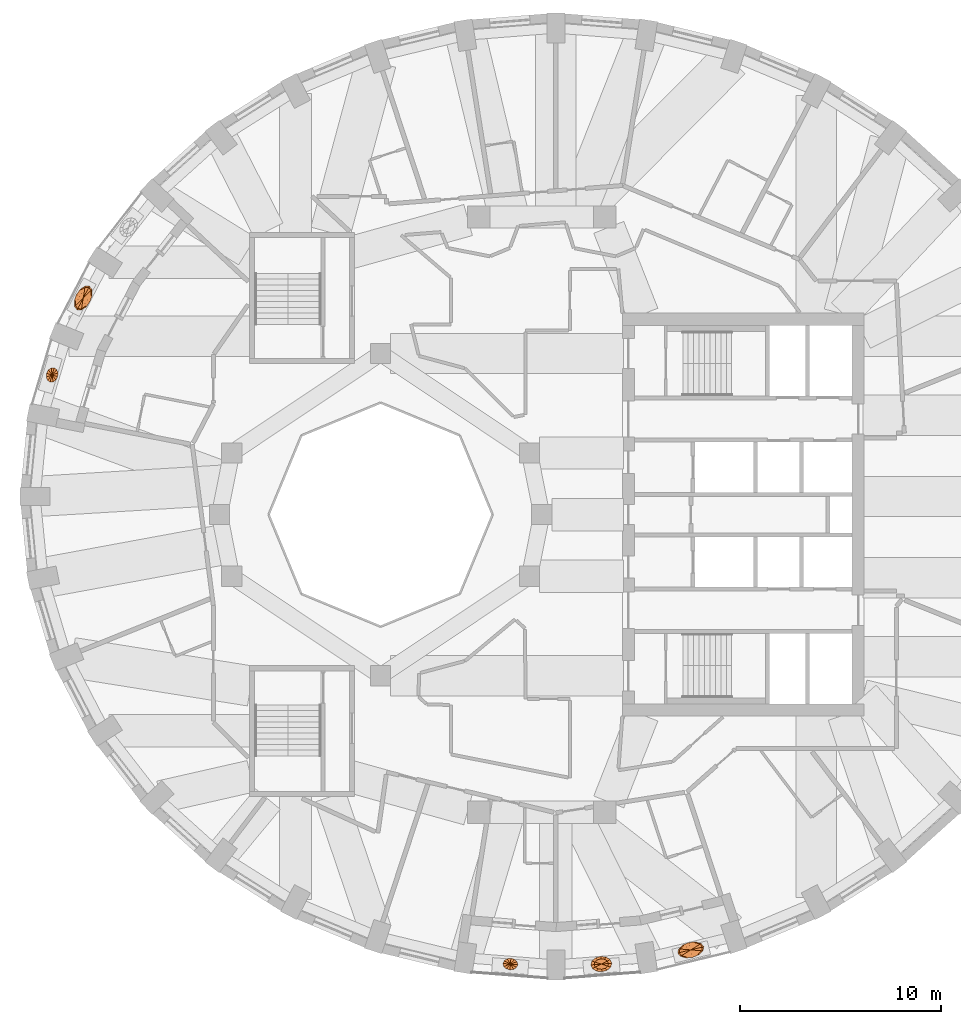
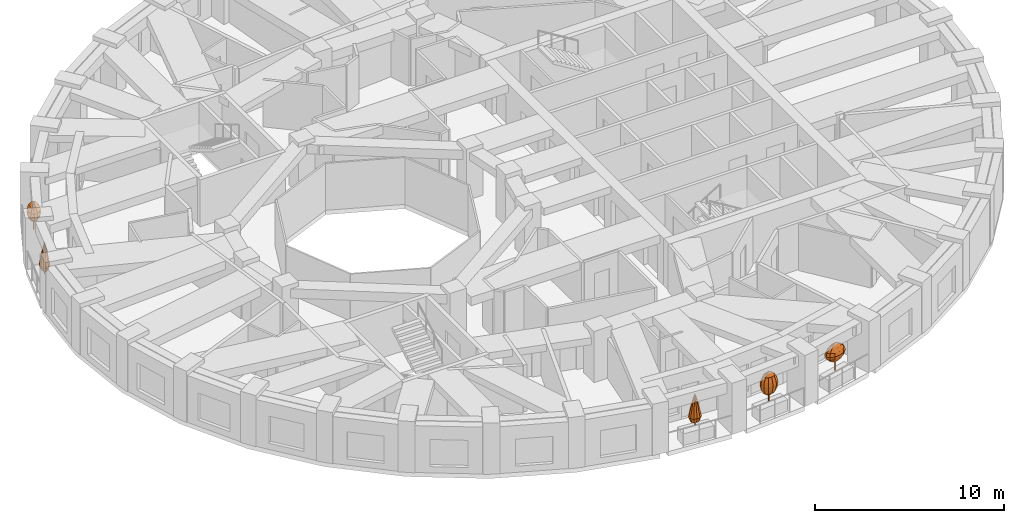
# One storey, part 11 of 12: 5 geographic elements.
"""IFC4 building model written with IfcOpenShell, lengths in metres."""

from ifc_helpers import new_model, si_unit, direction, frame, origin, place, context, subcontext, project, spatial, faceted_brep, material, constituent, constituent_set, type_object, element, save


model = new_model("IFC4")

# Units and contexts
model_context = context("Model", 3, precision=1e-05, world=origin(), true_north=direction((0.0, 1.0)))
body_context = subcontext(model_context, "Body", "Model", "MODEL_VIEW")
ifc_project = project(units=[si_unit("LENGTHUNIT", "METRE"), si_unit("AREAUNIT", "SQUARE_METRE"), si_unit("VOLUMEUNIT", "CUBIC_METRE"), si_unit("PLANEANGLEUNIT", "RADIAN"), si_unit("MASSUNIT", "GRAM", prefix="KILO")], contexts=[model_context])

# Site, building, storey
site_placement = place(None, origin())
site = spatial("IfcSite", under=ifc_project, at=site_placement, CompositionType="ELEMENT")
building_placement = place(site_placement, origin())
building = spatial("IfcBuilding", under=site, at=building_placement, Name="Taillehof Tower", CompositionType="ELEMENT")
storey_placement = place(building_placement, frame((0.0, 0.0, 199.10009765625)))
storey = spatial("IfcBuildingStorey", under=building, at=storey_placement, Name="L56", CompositionType="ELEMENT", Elevation=199.10009765625)

# Geographic elements
ifc_material_1 = material(Name="Tree bark", Category="timber")
ifc_constituent_1 = constituent(ifc_material_1, Name="Trunk", Category="timber")
ifc_material_2 = material(Name="Tree foliage")
ifc_constituent_2 = constituent(ifc_material_2, Name="Crown")
ifc_constituent_set_1 = constituent_set(constituents=[ifc_constituent_1, ifc_constituent_2], Name="Tree TR2 Fastigiate yew")
geographic_element_type_1 = type_object("IfcGeographicElementType", Name="Tree TR2 Fastigiate yew", PredefinedType="USERDEFINED", material=ifc_constituent_set_1)
geographic_element_1_placement = place(storey_placement, frame((2.955322265625, -22.310546875, 0.75)))
element("IfcGeographicElement", 1, at=geographic_element_1_placement, inside=storey, type_object=geographic_element_type_1, Name="Tree TR2 Fastigiate yew", ObjectType="TREE", PredefinedType="USERDEFINED", context=body_context, shape_type="Brep", body=[
    faceted_brep([(0.034912109375, 0.0, 0.0), (0.024658203125, 0.024658203125, 0.0), (0.024658203125, 0.024658203125, 0.909912109375), (0.034912109375, 0.0, 0.909912109375), (0.0, 0.034912109375, 0.0), (0.0, 0.034912109375, 0.909912109375), (-0.024658203125, 0.024658203125, 0.0), (-0.024658203125, 0.024658203125, 0.909912109375), (-0.034912109375, 0.0, 0.0), (-0.034912109375, 0.0, 0.909912109375), (-0.024658203125, -0.024658203125, 0.0), (-0.024658203125, -0.024658203125, 0.909912109375), (0.0, -0.034912109375, 0.0), (0.0, -0.034912109375, 0.909912109375), (0.024658203125, -0.024658203125, 0.0), (0.024658203125, -0.024658203125, 0.909912109375)], [[[0, 1, 2, 3]], [[1, 4, 5, 2]], [[4, 6, 7, 5]], [[6, 8, 9, 7]], [[8, 10, 11, 9]], [[10, 12, 13, 11]], [[12, 14, 15, 13]], [[14, 0, 3, 15]], [[14, 12, 10, 8, 6, 4, 1, 0]], [[3, 2, 5, 7, 9, 11, 13, 15]]]),
    faceted_brep([(0.0, 0.0, 0.35009765625), (0.2978515625, 0.153564453125, 0.61669921875), (0.355712890625, 0.028076171875, 0.61669921875), (0.16015625, 0.238037109375, 0.61669921875), (-0.020263671875, 0.2587890625, 0.61669921875), (-0.195556640625, 0.2099609375, 0.61669921875), (-0.318359375, 0.105224609375, 0.61669921875), (-0.355712890625, -0.028076171875, 0.61669921875), (-0.2978515625, -0.153564453125, 0.61669921875), (-0.16015625, -0.238037109375, 0.61669921875), (0.020263671875, -0.2587890625, 0.61669921875), (0.195556640625, -0.2099609375, 0.61669921875), (0.318359375, -0.105224609375, 0.61669921875), (0.403076171875, 0.207763671875, 0.88330078125), (0.481201171875, 0.037841796875, 0.88330078125), (0.216796875, 0.322021484375, 0.88330078125), (-0.027587890625, 0.35009765625, 0.88330078125), (-0.264404296875, 0.2841796875, 0.88330078125), (-0.4306640625, 0.14208984375, 0.88330078125), (-0.481201171875, -0.037841796875, 0.88330078125), (-0.403076171875, -0.207763671875, 0.88330078125), (-0.216796875, -0.322021484375, 0.88330078125), (0.027587890625, -0.35009765625, 0.88330078125), (0.264404296875, -0.2841796875, 0.88330078125), (0.4306640625, -0.14208984375, 0.88330078125), (0.436279296875, 0.224853515625, 1.14990234375), (0.52099609375, 0.041015625, 1.14990234375), (0.234619140625, 0.3486328125, 1.14990234375), (-0.02978515625, 0.37890625, 1.14990234375), (-0.286376953125, 0.3076171875, 1.14990234375), (-0.466064453125, 0.15380859375, 1.14990234375), (-0.52099609375, -0.041015625, 1.14990234375), (-0.436279296875, -0.224853515625, 1.14990234375), (-0.234619140625, -0.3486328125, 1.14990234375), (0.02978515625, -0.37890625, 1.14990234375), (0.286376953125, -0.3076171875, 1.14990234375), (0.466064453125, -0.15380859375, 1.14990234375), (0.403076171875, 0.207763671875, 1.416748046875), (0.481201171875, 0.037841796875, 1.416748046875), (0.216796875, 0.322021484375, 1.416748046875), (-0.027587890625, 0.35009765625, 1.416748046875), (-0.264404296875, 0.2841796875, 1.416748046875), (-0.4306640625, 0.14208984375, 1.416748046875), (-0.481201171875, -0.037841796875, 1.416748046875), (-0.403076171875, -0.207763671875, 1.416748046875), (-0.216796875, -0.322021484375, 1.416748046875), (0.027587890625, -0.35009765625, 1.416748046875), (0.264404296875, -0.2841796875, 1.416748046875), (0.4306640625, -0.14208984375, 1.416748046875), (0.2978515625, 0.153564453125, 1.683349609375), (0.355712890625, 0.028076171875, 1.683349609375), (0.16015625, 0.238037109375, 1.683349609375), (-0.020263671875, 0.2587890625, 1.683349609375), (-0.195556640625, 0.2099609375, 1.683349609375), (-0.318359375, 0.105224609375, 1.683349609375), (-0.355712890625, -0.028076171875, 1.683349609375), (-0.2978515625, -0.153564453125, 1.683349609375), (-0.16015625, -0.238037109375, 1.683349609375), (0.020263671875, -0.2587890625, 1.683349609375), (0.195556640625, -0.2099609375, 1.683349609375), (0.318359375, -0.105224609375, 1.683349609375), (0.0, 0.0, 1.949951171875)], [[[0, 1, 2]], [[0, 3, 1]], [[0, 4, 3]], [[0, 5, 4]], [[0, 6, 5]], [[0, 7, 6]], [[0, 8, 7]], [[0, 9, 8]], [[0, 10, 9]], [[0, 11, 10]], [[0, 12, 11]], [[0, 2, 12]], [[2, 1, 13, 14]], [[1, 3, 15, 13]], [[3, 4, 16, 15]], [[4, 5, 17, 16]], [[5, 6, 18, 17]], [[6, 7, 19, 18]], [[7, 8, 20, 19]], [[8, 9, 21, 20]], [[9, 10, 22, 21]], [[10, 11, 23, 22]], [[11, 12, 24, 23]], [[12, 2, 14, 24]], [[14, 13, 25, 26]], [[13, 15, 27, 25]], [[15, 16, 28, 27]], [[16, 17, 29, 28]], [[17, 18, 30, 29]], [[18, 19, 31, 30]], [[19, 20, 32, 31]], [[20, 21, 33, 32]], [[21, 22, 34, 33]], [[22, 23, 35, 34]], [[23, 24, 36, 35]], [[24, 14, 26, 36]], [[26, 25, 37, 38]], [[25, 27, 39, 37]], [[27, 28, 40, 39]], [[28, 29, 41, 40]], [[29, 30, 42, 41]], [[30, 31, 43, 42]], [[31, 32, 44, 43]], [[32, 33, 45, 44]], [[33, 34, 46, 45]], [[34, 35, 47, 46]], [[35, 36, 48, 47]], [[36, 26, 38, 48]], [[38, 37, 49, 50]], [[37, 39, 51, 49]], [[39, 40, 52, 51]], [[40, 41, 53, 52]], [[41, 42, 54, 53]], [[42, 43, 55, 54]], [[43, 44, 56, 55]], [[44, 45, 57, 56]], [[45, 46, 58, 57]], [[46, 47, 59, 58]], [[47, 48, 60, 59]], [[48, 38, 50, 60]], [[50, 49, 61]], [[49, 51, 61]], [[51, 52, 61]], [[52, 53, 61]], [[53, 54, 61]], [[54, 55, 61]], [[55, 56, 61]], [[56, 57, 61]], [[57, 58, 61]], [[58, 59, 61]], [[59, 60, 61]], [[60, 50, 61]]]),
])
ifc_material_3 = material(Name="Tree bark", Category="timber")
ifc_constituent_3 = constituent(ifc_material_3, Name="Trunk", Category="timber")
ifc_material_4 = material(Name="Tree foliage")
ifc_constituent_4 = constituent(ifc_material_4, Name="Crown")
ifc_constituent_set_2 = constituent_set(constituents=[ifc_constituent_3, ifc_constituent_4], Name="Tree TR4 Sea buckthorn standard")
geographic_element_type_2 = type_object("IfcGeographicElementType", Name="Tree TR4 Sea buckthorn standard", PredefinedType="USERDEFINED", material=ifc_constituent_set_2)
geographic_element_2_placement = place(storey_placement, frame((-22.760986328125, 10.750244140625, 0.75)))
element("IfcGeographicElement", 2, at=geographic_element_2_placement, inside=storey, type_object=geographic_element_type_2, Name="Tree TR4 Sea buckthorn standard", ObjectType="TREE", PredefinedType="USERDEFINED", context=body_context, shape_type="Brep", body=[
    faceted_brep([(0.030029296875, 0.0, 0.0), (0.021240234375, 0.021240234375, 0.0), (0.021240234375, 0.021240234375, 0.98095703125), (0.030029296875, 0.0, 0.98095703125), (0.0, 0.030029296875, 0.0), (0.0, 0.030029296875, 0.98095703125), (-0.021240234375, 0.021240234375, 0.0), (-0.021240234375, 0.021240234375, 0.98095703125), (-0.030029296875, 0.0, 0.0), (-0.030029296875, 0.0, 0.98095703125), (-0.021240234375, -0.021240234375, 0.0), (-0.021240234375, -0.021240234375, 0.98095703125), (0.0, -0.030029296875, 0.0), (0.0, -0.030029296875, 0.98095703125), (0.021240234375, -0.021240234375, 0.0), (0.021240234375, -0.021240234375, 0.98095703125)], [[[0, 1, 2, 3]], [[1, 4, 5, 2]], [[4, 6, 7, 5]], [[6, 8, 9, 7]], [[8, 10, 11, 9]], [[10, 12, 13, 11]], [[12, 14, 15, 13]], [[14, 0, 3, 15]], [[14, 12, 10, 8, 6, 4, 1, 0]], [[3, 2, 5, 7, 9, 11, 13, 15]]]),
    faceted_brep([(0.0, 0.0, 0.5400390625), (-0.055419921875, -0.343994140625, 0.75), (-0.17578125, -0.339111328125, 0.75), (0.079833984375, -0.256591796875, 0.75), (0.19384765625, -0.100341796875, 0.75), (0.255615234375, 0.08251953125, 0.75), (0.2490234375, 0.243408203125, 0.75), (0.17578125, 0.339111328125, 0.75), (0.055419921875, 0.343994140625, 0.75), (-0.079833984375, 0.256591796875, 0.75), (-0.19384765625, 0.100341796875, 0.75), (-0.255615234375, -0.08251953125, 0.75), (-0.2490234375, -0.243408203125, 0.75), (-0.0859375, -0.53369140625, 0.9599609375), (-0.272705078125, -0.526123046875, 0.9599609375), (0.1240234375, -0.398193359375, 0.9599609375), (0.30078125, -0.15576171875, 0.9599609375), (0.396728515625, 0.128173828125, 0.9599609375), (0.386474609375, 0.377685546875, 0.9599609375), (0.272705078125, 0.526123046875, 0.9599609375), (0.0859375, 0.53369140625, 0.9599609375), (-0.1240234375, 0.398193359375, 0.9599609375), (-0.30078125, 0.15576171875, 0.9599609375), (-0.396728515625, -0.128173828125, 0.9599609375), (-0.386474609375, -0.377685546875, 0.9599609375), (-0.096435546875, -0.5986328125, 1.169921875), (-0.30615234375, -0.59033203125, 1.169921875), (0.13916015625, -0.446533203125, 1.169921875), (0.33740234375, -0.1748046875, 1.169921875), (0.445068359375, 0.143798828125, 1.169921875), (0.433837890625, 0.423828125, 1.169921875), (0.30615234375, 0.59033203125, 1.169921875), (0.096435546875, 0.5986328125, 1.169921875), (-0.13916015625, 0.446533203125, 1.169921875), (-0.33740234375, 0.1748046875, 1.169921875), (-0.445068359375, -0.143798828125, 1.169921875), (-0.433837890625, -0.423828125, 1.169921875), (-0.0859375, -0.53369140625, 1.3798828125), (-0.272705078125, -0.526123046875, 1.3798828125), (0.1240234375, -0.398193359375, 1.3798828125), (0.30078125, -0.15576171875, 1.3798828125), (0.396728515625, 0.128173828125, 1.3798828125), (0.386474609375, 0.377685546875, 1.3798828125), (0.272705078125, 0.526123046875, 1.3798828125), (0.0859375, 0.53369140625, 1.3798828125), (-0.1240234375, 0.398193359375, 1.3798828125), (-0.30078125, 0.15576171875, 1.3798828125), (-0.396728515625, -0.128173828125, 1.3798828125), (-0.386474609375, -0.377685546875, 1.3798828125), (-0.055419921875, -0.343994140625, 1.590087890625), (-0.17578125, -0.339111328125, 1.590087890625), (0.079833984375, -0.256591796875, 1.590087890625), (0.19384765625, -0.100341796875, 1.590087890625), (0.255615234375, 0.08251953125, 1.590087890625), (0.2490234375, 0.243408203125, 1.590087890625), (0.17578125, 0.339111328125, 1.590087890625), (0.055419921875, 0.343994140625, 1.590087890625), (-0.079833984375, 0.256591796875, 1.590087890625), (-0.19384765625, 0.100341796875, 1.590087890625), (-0.255615234375, -0.08251953125, 1.590087890625), (-0.2490234375, -0.243408203125, 1.590087890625), (0.0, 0.0, 1.800048828125)], [[[0, 1, 2]], [[0, 3, 1]], [[0, 4, 3]], [[0, 5, 4]], [[0, 6, 5]], [[0, 7, 6]], [[0, 8, 7]], [[0, 9, 8]], [[0, 10, 9]], [[0, 11, 10]], [[0, 12, 11]], [[0, 2, 12]], [[2, 1, 13, 14]], [[1, 3, 15, 13]], [[3, 4, 16, 15]], [[4, 5, 17, 16]], [[5, 6, 18, 17]], [[6, 7, 19, 18]], [[7, 8, 20, 19]], [[8, 9, 21, 20]], [[9, 10, 22, 21]], [[10, 11, 23, 22]], [[11, 12, 24, 23]], [[12, 2, 14, 24]], [[14, 13, 25, 26]], [[13, 15, 27, 25]], [[15, 16, 28, 27]], [[16, 17, 29, 28]], [[17, 18, 30, 29]], [[18, 19, 31, 30]], [[19, 20, 32, 31]], [[20, 21, 33, 32]], [[21, 22, 34, 33]], [[22, 23, 35, 34]], [[23, 24, 36, 35]], [[24, 14, 26, 36]], [[26, 25, 37, 38]], [[25, 27, 39, 37]], [[27, 28, 40, 39]], [[28, 29, 41, 40]], [[29, 30, 42, 41]], [[30, 31, 43, 42]], [[31, 32, 44, 43]], [[32, 33, 45, 44]], [[33, 34, 46, 45]], [[34, 35, 47, 46]], [[35, 36, 48, 47]], [[36, 26, 38, 48]], [[38, 37, 49, 50]], [[37, 39, 51, 49]], [[39, 40, 52, 51]], [[40, 41, 53, 52]], [[41, 42, 54, 53]], [[42, 43, 55, 54]], [[43, 44, 56, 55]], [[44, 45, 57, 56]], [[45, 46, 58, 57]], [[46, 47, 59, 58]], [[47, 48, 60, 59]], [[48, 38, 50, 60]], [[50, 49, 61]], [[49, 51, 61]], [[51, 52, 61]], [[52, 53, 61]], [[53, 54, 61]], [[54, 55, 61]], [[55, 56, 61]], [[56, 57, 61]], [[57, 58, 61]], [[58, 59, 61]], [[59, 60, 61]], [[60, 50, 61]]]),
])
geographic_element_3_placement = place(storey_placement, frame((7.39794921875, -21.60595703125, 0.75)))
element("IfcGeographicElement", 3, at=geographic_element_3_placement, inside=storey, type_object=geographic_element_type_2, Name="Tree TR4 Sea buckthorn standard", ObjectType="TREE", PredefinedType="USERDEFINED", context=body_context, shape_type="Brep", body=[
    faceted_brep([(0.030029296875, 0.0, 0.0), (0.021240234375, 0.021240234375, 0.0), (0.021240234375, 0.021240234375, 0.98095703125), (0.030029296875, 0.0, 0.98095703125), (0.0, 0.030029296875, 0.0), (0.0, 0.030029296875, 0.98095703125), (-0.021240234375, 0.021240234375, 0.0), (-0.021240234375, 0.021240234375, 0.98095703125), (-0.030029296875, 0.0, 0.0), (-0.030029296875, 0.0, 0.98095703125), (-0.021240234375, -0.021240234375, 0.0), (-0.021240234375, -0.021240234375, 0.98095703125), (0.0, -0.030029296875, 0.0), (0.0, -0.030029296875, 0.98095703125), (0.021240234375, -0.021240234375, 0.0), (0.021240234375, -0.021240234375, 0.98095703125)], [[[0, 1, 2, 3]], [[1, 4, 5, 2]], [[4, 6, 7, 5]], [[6, 8, 9, 7]], [[8, 10, 11, 9]], [[10, 12, 13, 11]], [[12, 14, 15, 13]], [[14, 0, 3, 15]], [[14, 12, 10, 8, 6, 4, 1, 0]], [[3, 2, 5, 7, 9, 11, 13, 15]]]),
    faceted_brep([(0.0, 0.0, 0.5400390625), (0.2958984375, 0.18359375, 0.75), (0.371337890625, 0.089599609375, 0.75), (0.141357421875, 0.228515625, 0.75), (-0.051025390625, 0.212158203125, 0.75), (-0.22998046875, 0.138916015625, 0.75), (-0.34716796875, 0.028564453125, 0.75), (-0.371337890625, -0.089599609375, 0.75), (-0.2958984375, -0.18359375, 0.75), (-0.141357421875, -0.228515625, 0.75), (0.051025390625, -0.212158203125, 0.75), (0.22998046875, -0.138916015625, 0.75), (0.34716796875, -0.028564453125, 0.75), (0.459228515625, 0.284912109375, 0.9599609375), (0.576171875, 0.138916015625, 0.9599609375), (0.219482421875, 0.3544921875, 0.9599609375), (-0.079345703125, 0.329345703125, 0.9599609375), (-0.35693359375, 0.2158203125, 0.9599609375), (-0.538818359375, 0.04443359375, 0.9599609375), (-0.576171875, -0.138916015625, 0.9599609375), (-0.459228515625, -0.284912109375, 0.9599609375), (-0.219482421875, -0.3544921875, 0.9599609375), (0.079345703125, -0.329345703125, 0.9599609375), (0.35693359375, -0.2158203125, 0.9599609375), (0.538818359375, -0.04443359375, 0.9599609375), (0.515380859375, 0.319580078125, 1.169921875), (0.646484375, 0.15576171875, 1.169921875), (0.24609375, 0.39794921875, 1.169921875), (-0.089111328125, 0.369384765625, 1.169921875), (-0.400390625, 0.241943359375, 1.169921875), (-0.6044921875, 0.0498046875, 1.169921875), (-0.646484375, -0.15576171875, 1.169921875), (-0.515380859375, -0.319580078125, 1.169921875), (-0.24609375, -0.39794921875, 1.169921875), (0.089111328125, -0.369384765625, 1.169921875), (0.400390625, -0.241943359375, 1.169921875), (0.6044921875, -0.0498046875, 1.169921875), (0.459228515625, 0.284912109375, 1.3798828125), (0.576171875, 0.138916015625, 1.3798828125), (0.219482421875, 0.3544921875, 1.3798828125), (-0.079345703125, 0.329345703125, 1.3798828125), (-0.35693359375, 0.2158203125, 1.3798828125), (-0.538818359375, 0.04443359375, 1.3798828125), (-0.576171875, -0.138916015625, 1.3798828125), (-0.459228515625, -0.284912109375, 1.3798828125), (-0.219482421875, -0.3544921875, 1.3798828125), (0.079345703125, -0.329345703125, 1.3798828125), (0.35693359375, -0.2158203125, 1.3798828125), (0.538818359375, -0.04443359375, 1.3798828125), (0.2958984375, 0.18359375, 1.590087890625), (0.371337890625, 0.089599609375, 1.590087890625), (0.141357421875, 0.228515625, 1.590087890625), (-0.051025390625, 0.212158203125, 1.590087890625), (-0.22998046875, 0.138916015625, 1.590087890625), (-0.34716796875, 0.028564453125, 1.590087890625), (-0.371337890625, -0.089599609375, 1.590087890625), (-0.2958984375, -0.18359375, 1.590087890625), (-0.141357421875, -0.228515625, 1.590087890625), (0.051025390625, -0.212158203125, 1.590087890625), (0.22998046875, -0.138916015625, 1.590087890625), (0.34716796875, -0.028564453125, 1.590087890625), (0.0, 0.0, 1.800048828125)], [[[0, 1, 2]], [[0, 3, 1]], [[0, 4, 3]], [[0, 5, 4]], [[0, 6, 5]], [[0, 7, 6]], [[0, 8, 7]], [[0, 9, 8]], [[0, 10, 9]], [[0, 11, 10]], [[0, 12, 11]], [[0, 2, 12]], [[2, 1, 13, 14]], [[1, 3, 15, 13]], [[3, 4, 16, 15]], [[4, 5, 17, 16]], [[5, 6, 18, 17]], [[6, 7, 19, 18]], [[7, 8, 20, 19]], [[8, 9, 21, 20]], [[9, 10, 22, 21]], [[10, 11, 23, 22]], [[11, 12, 24, 23]], [[12, 2, 14, 24]], [[14, 13, 25, 26]], [[13, 15, 27, 25]], [[15, 16, 28, 27]], [[16, 17, 29, 28]], [[17, 18, 30, 29]], [[18, 19, 31, 30]], [[19, 20, 32, 31]], [[20, 21, 33, 32]], [[21, 22, 34, 33]], [[22, 23, 35, 34]], [[23, 24, 36, 35]], [[24, 14, 26, 36]], [[26, 25, 37, 38]], [[25, 27, 39, 37]], [[27, 28, 40, 39]], [[28, 29, 41, 40]], [[29, 30, 42, 41]], [[30, 31, 43, 42]], [[31, 32, 44, 43]], [[32, 33, 45, 44]], [[33, 34, 46, 45]], [[34, 35, 47, 46]], [[35, 36, 48, 47]], [[36, 26, 38, 48]], [[38, 37, 49, 50]], [[37, 39, 51, 49]], [[39, 40, 52, 51]], [[40, 41, 53, 52]], [[41, 42, 54, 53]], [[42, 43, 55, 54]], [[43, 44, 56, 55]], [[44, 45, 57, 56]], [[45, 46, 58, 57]], [[46, 47, 59, 58]], [[47, 48, 60, 59]], [[48, 38, 50, 60]], [[50, 49, 61]], [[49, 51, 61]], [[51, 52, 61]], [[52, 53, 61]], [[53, 54, 61]], [[54, 55, 61]], [[55, 56, 61]], [[56, 57, 61]], [[57, 58, 61]], [[58, 59, 61]], [[59, 60, 61]], [[60, 50, 61]]]),
])
ifc_material_5 = material(Name="Tree bark", Category="timber")
ifc_constituent_5 = constituent(ifc_material_5, Name="Trunk", Category="timber")
ifc_material_6 = material(Name="Tree foliage")
ifc_constituent_6 = constituent(ifc_material_6, Name="Crown")
ifc_constituent_set_3 = constituent_set(constituents=[ifc_constituent_5, ifc_constituent_6], Name="Tree TR5 Columnar juniper")
geographic_element_type_3 = type_object("IfcGeographicElementType", Name="Tree TR5 Columnar juniper", PredefinedType="USERDEFINED", material=ifc_constituent_set_3)
geographic_element_4_placement = place(storey_placement, frame((-24.305419921875, 6.932861328125, 0.75)))
element("IfcGeographicElement", 4, at=geographic_element_4_placement, inside=storey, type_object=geographic_element_type_3, Name="Tree TR5 Columnar juniper", ObjectType="TREE", PredefinedType="USERDEFINED", context=body_context, shape_type="Brep", body=[
    faceted_brep([(0.02490234375, 0.0, 0.0), (0.017578125, 0.017578125, 0.0), (0.017578125, 0.017578125, 0.929931640625), (0.02490234375, 0.0, 0.929931640625), (0.0, 0.02490234375, 0.0), (0.0, 0.02490234375, 0.929931640625), (-0.017578125, 0.017578125, 0.0), (-0.017578125, 0.017578125, 0.929931640625), (-0.02490234375, 0.0, 0.0), (-0.02490234375, 0.0, 0.929931640625), (-0.017578125, -0.017578125, 0.0), (-0.017578125, -0.017578125, 0.929931640625), (0.0, -0.02490234375, 0.0), (0.0, -0.02490234375, 0.929931640625), (0.017578125, -0.017578125, 0.0), (0.017578125, -0.017578125, 0.929931640625)], [[[0, 1, 2, 3]], [[1, 4, 5, 2]], [[4, 6, 7, 5]], [[6, 8, 9, 7]], [[8, 10, 11, 9]], [[10, 12, 13, 11]], [[12, 14, 15, 13]], [[14, 0, 3, 15]], [[14, 12, 10, 8, 6, 4, 1, 0]], [[3, 2, 5, 7, 9, 11, 13, 15]]]),
    faceted_brep([(-0.070556640625, -0.2373046875, 0.300048828125), (0.031005859375, -0.23291015625, 0.300048828125), (0.04638671875, -0.34765625, 0.60009765625), (-0.10546875, -0.35400390625, 0.60009765625), (0.12451171875, -0.166259765625, 0.300048828125), (0.185791015625, -0.248046875, 0.60009765625), (0.1845703125, -0.054931640625, 0.300048828125), (0.275390625, -0.08203125, 0.60009765625), (0.195068359375, 0.071044921875, 0.300048828125), (0.291259765625, 0.10595703125, 0.60009765625), (0.1533203125, 0.177978515625, 0.300048828125), (0.22900390625, 0.265625, 0.60009765625), (0.070556640625, 0.2373046875, 0.300048828125), (0.10546875, 0.35400390625, 0.60009765625), (-0.031005859375, 0.23291015625, 0.300048828125), (-0.04638671875, 0.34765625, 0.60009765625), (-0.12451171875, 0.166259765625, 0.300048828125), (-0.185791015625, 0.248046875, 0.60009765625), (-0.1845703125, 0.054931640625, 0.300048828125), (-0.275390625, 0.08203125, 0.60009765625), (-0.195068359375, -0.071044921875, 0.300048828125), (-0.291259765625, -0.10595703125, 0.60009765625), (-0.1533203125, -0.177978515625, 0.300048828125), (-0.22900390625, -0.265625, 0.60009765625), (0.038818359375, -0.290771484375, 0.89990234375), (-0.088134765625, -0.296142578125, 0.89990234375), (0.155517578125, -0.20751953125, 0.89990234375), (0.23046875, -0.068603515625, 0.89990234375), (0.24365234375, 0.088623046875, 0.89990234375), (0.191650390625, 0.22216796875, 0.89990234375), (0.088134765625, 0.296142578125, 0.89990234375), (-0.038818359375, 0.290771484375, 0.89990234375), (-0.155517578125, 0.20751953125, 0.89990234375), (-0.23046875, 0.068603515625, 0.89990234375), (-0.24365234375, -0.088623046875, 0.89990234375), (-0.191650390625, -0.22216796875, 0.89990234375), (0.03076171875, -0.23095703125, 1.199951171875), (-0.070068359375, -0.2353515625, 1.199951171875), (0.12353515625, -0.164794921875, 1.199951171875), (0.18310546875, -0.054443359375, 1.199951171875), (0.193603515625, 0.070556640625, 1.199951171875), (0.152099609375, 0.176513671875, 1.199951171875), (0.070068359375, 0.2353515625, 1.199951171875), (-0.03076171875, 0.23095703125, 1.199951171875), (-0.12353515625, 0.164794921875, 1.199951171875), (-0.18310546875, 0.054443359375, 1.199951171875), (-0.193603515625, -0.070556640625, 1.199951171875), (-0.152099609375, -0.176513671875, 1.199951171875), (0.022216796875, -0.1669921875, 1.5), (-0.05078125, -0.170166015625, 1.5), (0.08935546875, -0.119140625, 1.5), (0.13232421875, -0.039306640625, 1.5), (0.139892578125, 0.051025390625, 1.5), (0.110107421875, 0.127685546875, 1.5), (0.05078125, 0.170166015625, 1.5), (-0.022216796875, 0.1669921875, 1.5), (-0.08935546875, 0.119140625, 1.5), (-0.13232421875, 0.039306640625, 1.5), (-0.139892578125, -0.051025390625, 1.5), (-0.110107421875, -0.127685546875, 1.5), (0.0126953125, -0.095947265625, 1.800048828125), (-0.029052734375, -0.09765625, 1.800048828125), (0.05126953125, -0.068359375, 1.800048828125), (0.075927734375, -0.022705078125, 1.800048828125), (0.080322265625, 0.029296875, 1.800048828125), (0.063232421875, 0.0732421875, 1.800048828125), (0.029052734375, 0.09765625, 1.800048828125), (-0.0126953125, 0.095947265625, 1.800048828125), (-0.05126953125, 0.068359375, 1.800048828125), (-0.075927734375, 0.022705078125, 1.800048828125), (-0.080322265625, -0.029296875, 1.800048828125), (-0.063232421875, -0.0732421875, 1.800048828125), (0.0, 0.0, 2.10009765625)], [[[0, 1, 2, 3]], [[1, 4, 5, 2]], [[4, 6, 7, 5]], [[6, 8, 9, 7]], [[8, 10, 11, 9]], [[10, 12, 13, 11]], [[12, 14, 15, 13]], [[14, 16, 17, 15]], [[16, 18, 19, 17]], [[18, 20, 21, 19]], [[20, 22, 23, 21]], [[22, 0, 3, 23]], [[3, 2, 24, 25]], [[2, 5, 26, 24]], [[5, 7, 27, 26]], [[7, 9, 28, 27]], [[9, 11, 29, 28]], [[11, 13, 30, 29]], [[13, 15, 31, 30]], [[15, 17, 32, 31]], [[17, 19, 33, 32]], [[19, 21, 34, 33]], [[21, 23, 35, 34]], [[23, 3, 25, 35]], [[25, 24, 36, 37]], [[24, 26, 38, 36]], [[26, 27, 39, 38]], [[27, 28, 40, 39]], [[28, 29, 41, 40]], [[29, 30, 42, 41]], [[30, 31, 43, 42]], [[31, 32, 44, 43]], [[32, 33, 45, 44]], [[33, 34, 46, 45]], [[34, 35, 47, 46]], [[35, 25, 37, 47]], [[37, 36, 48, 49]], [[36, 38, 50, 48]], [[38, 39, 51, 50]], [[39, 40, 52, 51]], [[40, 41, 53, 52]], [[41, 42, 54, 53]], [[42, 43, 55, 54]], [[43, 44, 56, 55]], [[44, 45, 57, 56]], [[45, 46, 58, 57]], [[46, 47, 59, 58]], [[47, 37, 49, 59]], [[49, 48, 60, 61]], [[48, 50, 62, 60]], [[50, 51, 63, 62]], [[51, 52, 64, 63]], [[52, 53, 65, 64]], [[53, 54, 66, 65]], [[54, 55, 67, 66]], [[55, 56, 68, 67]], [[56, 57, 69, 68]], [[57, 58, 70, 69]], [[58, 59, 71, 70]], [[59, 49, 61, 71]], [[61, 60, 72]], [[60, 62, 72]], [[62, 63, 72]], [[63, 64, 72]], [[64, 65, 72]], [[65, 66, 72]], [[66, 67, 72]], [[67, 68, 72]], [[68, 69, 72]], [[69, 70, 72]], [[70, 71, 72]], [[71, 61, 72]], [[22, 20, 18, 16, 14, 12, 10, 8, 6, 4, 1, 0]]]),
])
geographic_element_5_placement = place(storey_placement, frame((-1.555419921875, -22.310546875, 0.75)))
element("IfcGeographicElement", 5, at=geographic_element_5_placement, inside=storey, type_object=geographic_element_type_3, Name="Tree TR5 Columnar juniper", ObjectType="TREE", PredefinedType="USERDEFINED", context=body_context, shape_type="Brep", body=[
    faceted_brep([(0.02490234375, 0.0, 0.0), (0.017578125, 0.017578125, 0.0), (0.017578125, 0.017578125, 0.929931640625), (0.02490234375, 0.0, 0.929931640625), (0.0, 0.02490234375, 0.0), (0.0, 0.02490234375, 0.929931640625), (-0.017578125, 0.017578125, 0.0), (-0.017578125, 0.017578125, 0.929931640625), (-0.02490234375, 0.0, 0.0), (-0.02490234375, 0.0, 0.929931640625), (-0.017578125, -0.017578125, 0.0), (-0.017578125, -0.017578125, 0.929931640625), (0.0, -0.02490234375, 0.0), (0.0, -0.02490234375, 0.929931640625), (0.017578125, -0.017578125, 0.0), (0.017578125, -0.017578125, 0.929931640625)], [[[0, 1, 2, 3]], [[1, 4, 5, 2]], [[4, 6, 7, 5]], [[6, 8, 9, 7]], [[8, 10, 11, 9]], [[10, 12, 13, 11]], [[12, 14, 15, 13]], [[14, 0, 3, 15]], [[14, 12, 10, 8, 6, 4, 1, 0]], [[3, 2, 5, 7, 9, 11, 13, 15]]]),
    faceted_brep([(0.246826171875, -0.01953125, 0.300048828125), (0.22119140625, 0.0791015625, 0.300048828125), (0.330322265625, 0.1181640625, 0.60009765625), (0.368408203125, -0.029052734375, 0.60009765625), (0.136474609375, 0.156494140625, 0.300048828125), (0.20361328125, 0.233642578125, 0.60009765625), (0.01513671875, 0.19189453125, 0.300048828125), (0.0224609375, 0.286376953125, 0.60009765625), (-0.1103515625, 0.176025390625, 0.300048828125), (-0.16455078125, 0.2626953125, 0.60009765625), (-0.2060546875, 0.11279296875, 0.300048828125), (-0.3076171875, 0.16845703125, 0.60009765625), (-0.246826171875, 0.01953125, 0.300048828125), (-0.368408203125, 0.029052734375, 0.60009765625), (-0.22119140625, -0.0791015625, 0.300048828125), (-0.330322265625, -0.1181640625, 0.60009765625), (-0.136474609375, -0.156494140625, 0.300048828125), (-0.20361328125, -0.233642578125, 0.60009765625), (-0.01513671875, -0.19189453125, 0.300048828125), (-0.0224609375, -0.286376953125, 0.60009765625), (0.1103515625, -0.176025390625, 0.300048828125), (0.16455078125, -0.2626953125, 0.60009765625), (0.2060546875, -0.11279296875, 0.300048828125), (0.3076171875, -0.16845703125, 0.60009765625), (0.2763671875, 0.098876953125, 0.89990234375), (0.30810546875, -0.024169921875, 0.89990234375), (0.17041015625, 0.1953125, 0.89990234375), (0.018798828125, 0.23974609375, 0.89990234375), (-0.1376953125, 0.2197265625, 0.89990234375), (-0.25732421875, 0.140869140625, 0.89990234375), (-0.30810546875, 0.024169921875, 0.89990234375), (-0.2763671875, -0.098876953125, 0.89990234375), (-0.17041015625, -0.1953125, 0.89990234375), (-0.018798828125, -0.23974609375, 0.89990234375), (0.1376953125, -0.2197265625, 0.89990234375), (0.25732421875, -0.140869140625, 0.89990234375), (0.219482421875, 0.07861328125, 1.199951171875), (0.244873046875, -0.019287109375, 1.199951171875), (0.13525390625, 0.1552734375, 1.199951171875), (0.014892578125, 0.1904296875, 1.199951171875), (-0.109375, 0.174560546875, 1.199951171875), (-0.20458984375, 0.11181640625, 1.199951171875), (-0.244873046875, 0.019287109375, 1.199951171875), (-0.219482421875, -0.07861328125, 1.199951171875), (-0.13525390625, -0.1552734375, 1.199951171875), (-0.014892578125, -0.1904296875, 1.199951171875), (0.109375, -0.174560546875, 1.199951171875), (0.20458984375, -0.11181640625, 1.199951171875), (0.15869140625, 0.056640625, 1.5), (0.177001953125, -0.013916015625, 1.5), (0.097900390625, 0.1123046875, 1.5), (0.0107421875, 0.1376953125, 1.5), (-0.0791015625, 0.126220703125, 1.5), (-0.14794921875, 0.080810546875, 1.5), (-0.177001953125, 0.013916015625, 1.5), (-0.15869140625, -0.056640625, 1.5), (-0.097900390625, -0.1123046875, 1.5), (-0.0107421875, -0.1376953125, 1.5), (0.0791015625, -0.126220703125, 1.5), (0.14794921875, -0.080810546875, 1.5), (0.091064453125, 0.03271484375, 1.800048828125), (0.1015625, -0.008056640625, 1.800048828125), (0.05615234375, 0.064453125, 1.800048828125), (0.006103515625, 0.0791015625, 1.800048828125), (-0.04541015625, 0.072509765625, 1.800048828125), (-0.0849609375, 0.04638671875, 1.800048828125), (-0.1015625, 0.008056640625, 1.800048828125), (-0.091064453125, -0.03271484375, 1.800048828125), (-0.05615234375, -0.064453125, 1.800048828125), (-0.006103515625, -0.0791015625, 1.800048828125), (0.04541015625, -0.072509765625, 1.800048828125), (0.0849609375, -0.04638671875, 1.800048828125), (0.0, 0.0, 2.10009765625)], [[[0, 1, 2, 3]], [[1, 4, 5, 2]], [[4, 6, 7, 5]], [[6, 8, 9, 7]], [[8, 10, 11, 9]], [[10, 12, 13, 11]], [[12, 14, 15, 13]], [[14, 16, 17, 15]], [[16, 18, 19, 17]], [[18, 20, 21, 19]], [[20, 22, 23, 21]], [[22, 0, 3, 23]], [[3, 2, 24, 25]], [[2, 5, 26, 24]], [[5, 7, 27, 26]], [[7, 9, 28, 27]], [[9, 11, 29, 28]], [[11, 13, 30, 29]], [[13, 15, 31, 30]], [[15, 17, 32, 31]], [[17, 19, 33, 32]], [[19, 21, 34, 33]], [[21, 23, 35, 34]], [[23, 3, 25, 35]], [[25, 24, 36, 37]], [[24, 26, 38, 36]], [[26, 27, 39, 38]], [[27, 28, 40, 39]], [[28, 29, 41, 40]], [[29, 30, 42, 41]], [[30, 31, 43, 42]], [[31, 32, 44, 43]], [[32, 33, 45, 44]], [[33, 34, 46, 45]], [[34, 35, 47, 46]], [[35, 25, 37, 47]], [[37, 36, 48, 49]], [[36, 38, 50, 48]], [[38, 39, 51, 50]], [[39, 40, 52, 51]], [[40, 41, 53, 52]], [[41, 42, 54, 53]], [[42, 43, 55, 54]], [[43, 44, 56, 55]], [[44, 45, 57, 56]], [[45, 46, 58, 57]], [[46, 47, 59, 58]], [[47, 37, 49, 59]], [[49, 48, 60, 61]], [[48, 50, 62, 60]], [[50, 51, 63, 62]], [[51, 52, 64, 63]], [[52, 53, 65, 64]], [[53, 54, 66, 65]], [[54, 55, 67, 66]], [[55, 56, 68, 67]], [[56, 57, 69, 68]], [[57, 58, 70, 69]], [[58, 59, 71, 70]], [[59, 49, 61, 71]], [[61, 60, 72]], [[60, 62, 72]], [[62, 63, 72]], [[63, 64, 72]], [[64, 65, 72]], [[65, 66, 72]], [[66, 67, 72]], [[67, 68, 72]], [[68, 69, 72]], [[69, 70, 72]], [[70, 71, 72]], [[71, 61, 72]], [[22, 20, 18, 16, 14, 12, 10, 8, 6, 4, 1, 0]]]),
])

save(model, "model.ifc")
